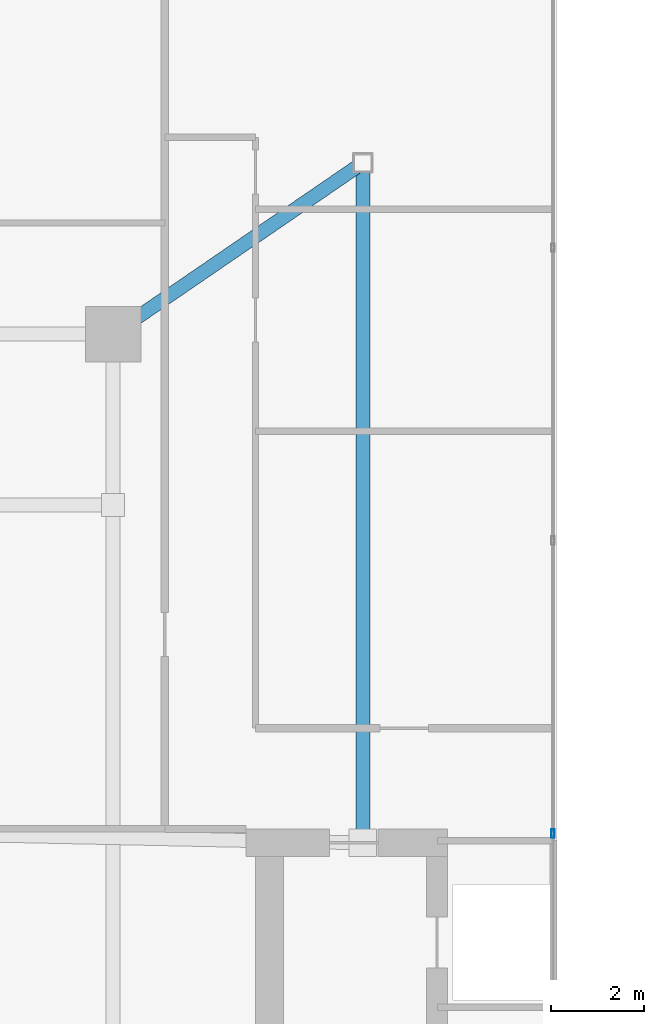
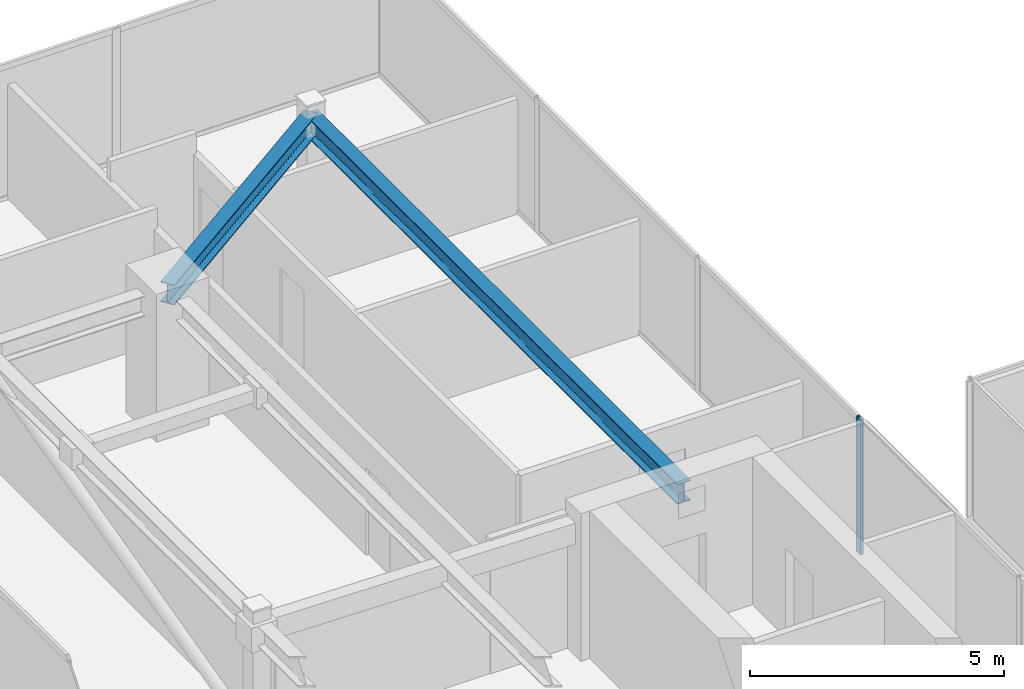
# One storey, part 10 of 16: 2 beams, 1 member, 1 element without a shape of its own.
"""IFC4 building model written with IfcOpenShell, lengths in metres."""

from ifc_helpers import new_model, si_unit, direction, frame, origin, origin_2d, place, context, subcontext, project, spatial, hollow_rectangle, i_section, extrude, source, transform, mapped, material, material_profile, profile_set, type_object, type_shapes, element, aggregate, save


model = new_model("IFC4")

# Units and contexts
model_context = context("Model", 3, precision=1e-05, world=origin(), true_north=direction((0.0, 1.0)))
body_context = subcontext(model_context, "Body", "Model", "MODEL_VIEW")
ifc_project = project(units=[si_unit("LENGTHUNIT", "METRE"), si_unit("AREAUNIT", "SQUARE_METRE"), si_unit("VOLUMEUNIT", "CUBIC_METRE"), si_unit("PLANEANGLEUNIT", "RADIAN"), si_unit("MASSUNIT", "GRAM", prefix="KILO")], contexts=[model_context])

# Site, building, storey
site_placement = place(None, origin())
site = spatial("IfcSite", under=ifc_project, at=site_placement, CompositionType="ELEMENT")
building_placement = place(site_placement, origin())
building = spatial("IfcBuilding", under=site, at=building_placement, Name="Krantzveldt Concourse Tower", CompositionType="ELEMENT")
storey_placement = place(building_placement, frame((0.0, 0.0, 385.449951171875)))
storey = spatial("IfcBuildingStorey", under=building, at=storey_placement, Name="L95", CompositionType="ELEMENT", Elevation=385.449951171875)

# Beams
ifc_material_1 = material(Name="Steel S355JR", Category="steel")
ifc_material_profile_1 = material_profile(ifc_material_1, i_section(OverallWidth=0.300048828125, OverallDepth=0.489990234375, WebThickness=0.011962890625, FlangeThickness=0.02294921875, FilletRadius=0.027099609375, at=origin_2d()), Name="Steel S355JR", Category="steel")
ifc_profile_set_1 = profile_set([ifc_material_profile_1], Name="Steel S355JR - HEA 500")
beam_type = type_object("IfcBeamType", Name="BM-B-HEA500", PredefinedType="BEAM", material=ifc_profile_set_1)
shared_shape_1 = source(origin(), body_context, "Body", "SweptSolid", [
    extrude(i_section(OverallWidth=0.300048828125, OverallDepth=0.489990234375, WebThickness=0.011962890625, FlangeThickness=0.02294921875, FilletRadius=0.027099609375, at=origin_2d()), origin(), (0.0, 0.0, 1.0), 6.546142578125),
])
beam_1_placement = place(storey_placement, frame((25.199951171875, 37.5, 3.005126953125), z_axis=(0.824942999484, 0.565215930068, 0.0), x_axis=(-0.565215930068, 0.824942999484, 0.0)))
element("IfcBeam", 1, at=beam_1_placement, inside=storey, type_object=beam_type, Name="L95 Crown Girder WEST-4", PredefinedType="BEAM", context=body_context, shape_type="MappedRepresentation", body=[
    mapped(shared_shape_1, transform((0.0, 0.0, 0.0), x_axis=(1.0, 0.0, 0.0), y_axis=(0.0, 1.0, 0.0), z_axis=(0.0, 0.0, 1.0), scale=1.0)),
])
shared_shape_2 = source(origin(), body_context, "Body", "SweptSolid", [
    extrude(i_section(OverallWidth=0.300048828125, OverallDepth=0.489990234375, WebThickness=0.011962890625, FlangeThickness=0.02294921875, FilletRadius=0.027099609375, at=origin_2d()), origin(), (0.0, 0.0, 1.0), 14.699951171875),
])
type_shapes(beam_type, [shared_shape_1, shared_shape_2])
beam_2_placement = place(storey_placement, frame((30.60009765625, 41.199951171875, 3.005126953125), z_axis=(0.0, -1.0, 0.0), x_axis=(1.0, 0.0, 0.0)))
element("IfcBeam", 2, at=beam_2_placement, inside=storey, type_object=beam_type, Name="L95 Crown Girder WEST-5", PredefinedType="BEAM", context=body_context, shape_type="MappedRepresentation", body=[
    mapped(shared_shape_2, transform((0.0, 0.0, 0.0), x_axis=(1.0, 0.0, 0.0), y_axis=(0.0, 1.0, 0.0), z_axis=(0.0, 0.0, 1.0), scale=1.0)),
])

# Curtain wall, member
ifc_material_2 = material(Name="Anodised aluminium 6063-T6", Category="aluminium")
curtain_wall_type = type_object("IfcCurtainWallType", Name="CW7", PredefinedType="USERDEFINED", material=ifc_material_2)
curtain_wall_placement = place(storey_placement, origin())
curtain_wall = element("IfcCurtainWall", 3, at=curtain_wall_placement, inside=storey, type_object=curtain_wall_type, Name="CW-L95-WEST-01", ObjectType="UNITISED CURTAIN WALL", PredefinedType="USERDEFINED")
ifc_material_profile_2 = material_profile(ifc_material_2, hollow_rectangle(XDim=0.070068359375, YDim=0.179931640625, WallThickness=0.0048828125, at=origin_2d()), Name="Anodised aluminium 6063-T6", Category="aluminium")
ifc_profile_set_2 = profile_set([ifc_material_profile_2], Name="Anodised aluminium 6063-T6 - ALU-MULL 180x70x5")
member_type = type_object("IfcMemberType", Name="CW-MUL-180", PredefinedType="MULLION", material=ifc_profile_set_2)
shared_shape_3 = source(origin(), body_context, "Body", "SweptSolid", [
    extrude(hollow_rectangle(XDim=0.070068359375, YDim=0.179931640625, WallThickness=0.0048828125, at=origin_2d()), origin(), (0.0, 0.0, 1.0), 3.25),
])
type_shapes(member_type, [shared_shape_3])
member_placement = place(storey_placement, frame((34.7099609375, 26.699951171875, 0.0), z_axis=(0.0, 0.0, 1.0), x_axis=(-1.0, 0.0, 0.0)))
member = element("IfcMember", 4, at=member_placement, type_object=member_type, Name="CW-CRN mullion 4", PredefinedType="MULLION", context=body_context, shape_type="MappedRepresentation", body=[
    mapped(shared_shape_3, transform((0.0, 0.0, 0.0), x_axis=(1.0, 0.0, 0.0), y_axis=(0.0, 1.0, 0.0), z_axis=(0.0, 0.0, 1.0), scale=1.0)),
])
aggregate(curtain_wall, [member])

save(model, "model.ifc")
